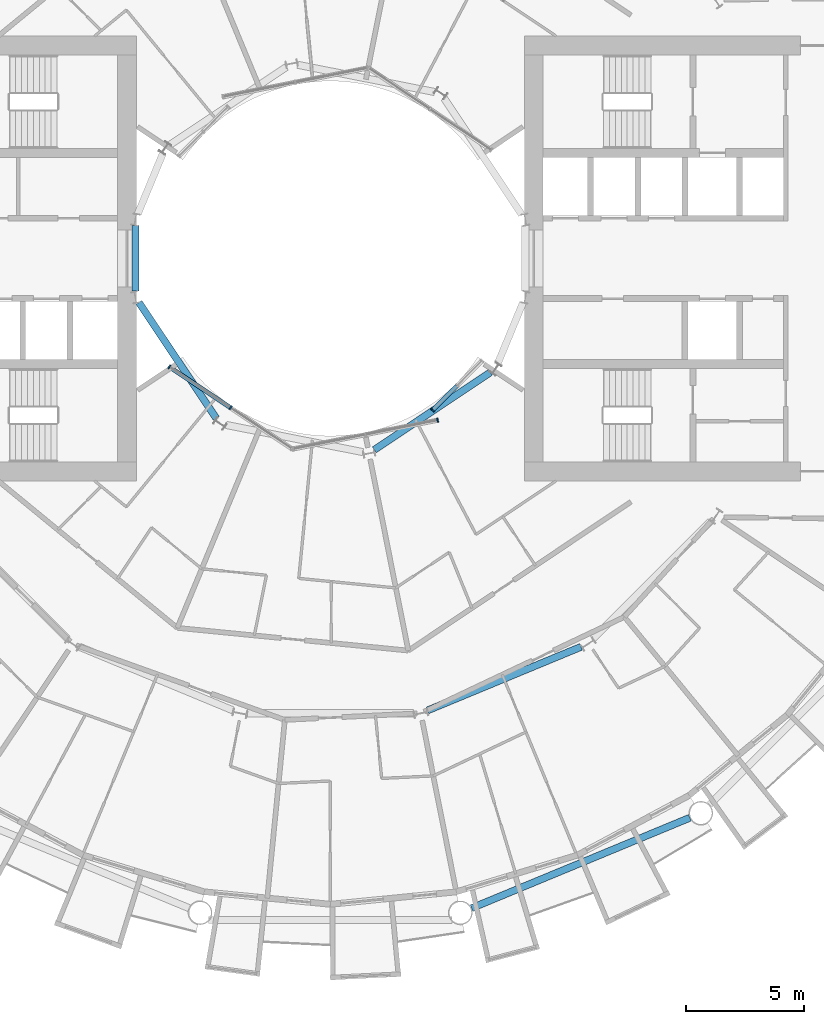
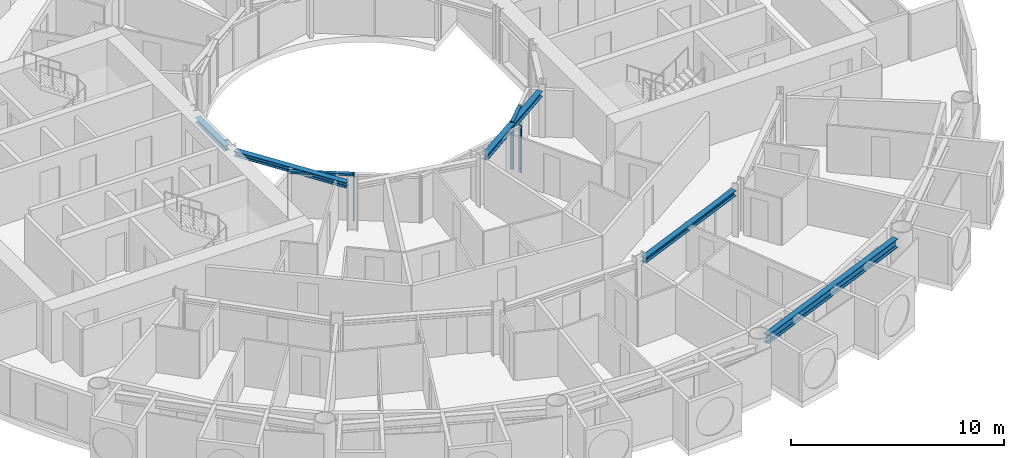
# One storey, part 5 of 26: 6 members, 5 beams, 3 elements without a shape of their own.
"""IFC4 building model written with IfcOpenShell, lengths in metres."""

from ifc_helpers import new_model, si_unit, direction, frame, origin, origin_2d, place, context, subcontext, project, spatial, rectangle, i_section, extrude, material, layer, layer_set, material_profile, profile_set, type_object, element, aggregate, save


model = new_model("IFC4")

# Units and contexts
model_context = context("Model", 3, precision=1e-05, world=origin(), true_north=direction((0.0, 1.0)))
body_context = subcontext(model_context, "Body", "Model", "MODEL_VIEW")
ifc_project = project(units=[si_unit("LENGTHUNIT", "METRE"), si_unit("AREAUNIT", "SQUARE_METRE"), si_unit("VOLUMEUNIT", "CUBIC_METRE"), si_unit("PLANEANGLEUNIT", "RADIAN"), si_unit("MASSUNIT", "GRAM", prefix="KILO")], contexts=[model_context])

# Site, building, storey
site_placement = place(None, origin())
site = spatial("IfcSite", under=ifc_project, at=site_placement, CompositionType="ELEMENT")
building_placement = place(site_placement, origin())
building = spatial("IfcBuilding", under=site, at=building_placement, Name="Maasbend Ring Residences", CompositionType="ELEMENT")
storey_placement = place(building_placement, frame((0.0, 0.0, 22.800048828125)))
storey = spatial("IfcBuildingStorey", under=building, at=storey_placement, Name="L05", CompositionType="ELEMENT", Elevation=22.800048828125)

# Curtain wall, members
ifc_material_1 = material(Name="Aluminium and clear glass", Category="aluminium")
ifc_layer = layer(ifc_material_1, 0.179931640625)
ifc_layer_set = layer_set([ifc_layer], Name="CW-W")
curtain_wall_type = type_object("IfcCurtainWallType", Name="CW-W", PredefinedType="NOTDEFINED", material=ifc_layer_set)
curtain_wall_1_placement = place(storey_placement, origin())
curtain_wall_1 = element("IfcCurtainWall", 1, at=curtain_wall_1_placement, inside=storey, type_object=curtain_wall_type, Name="Well curtain wall S1", PredefinedType="NOTDEFINED")
ifc_material_2 = material(Name="Aluminium 6063-T6", Category="aluminium")
ifc_material_profile_1 = material_profile(ifc_material_2, rectangle(XDim=0.179931640625, YDim=0.06005859375, at=origin_2d()), Name="AL 180x60")
ifc_profile_set_1 = profile_set([ifc_material_profile_1], Name="Aluminium 6063-T6")
member_type_1 = type_object("IfcMemberType", Name="CWM-W", PredefinedType="MULLION", material=ifc_profile_set_1)
member_1_placement = place(storey_placement, frame((-6.805908203125, -4.580810546875, 0.0), z_axis=(0.0, 0.0, 1.0), x_axis=(0.55557023302, 0.831469612303, 0.0)))
member_1 = element("IfcMember", 2, at=member_1_placement, type_object=member_type_1, Name="Mullion well face", PredefinedType="MULLION", context=body_context, shape_type="SweptSolid", body=[
    extrude(rectangle(XDim=0.179931640625, YDim=0.06005859375, at=origin_2d()), origin(), (0.0, 0.0, 1.0), 2.699951171875),
])
member_2_placement = place(storey_placement, frame((-4.216796875, -6.310791015625, 0.0), z_axis=(0.0, 0.0, 1.0), x_axis=(0.55557023302, 0.831469612303, 0.0)))
member_2 = element("IfcMember", 3, at=member_2_placement, type_object=member_type_1, Name="Mullion well face", PredefinedType="MULLION", context=body_context, shape_type="SweptSolid", body=[
    extrude(rectangle(XDim=0.179931640625, YDim=0.06005859375, at=origin_2d()), origin(), (0.0, 0.0, 1.0), 2.699951171875),
])

# Curtain wall, member
curtain_wall_2_placement = place(storey_placement, origin())
curtain_wall_2 = element("IfcCurtainWall", 4, at=curtain_wall_2_placement, inside=storey, type_object=curtain_wall_type, Name="Well curtain wall S2", PredefinedType="NOTDEFINED")
member_3_placement = place(storey_placement, frame((4.53466796875, -6.836669921875, 0.0), z_axis=(0.0, 0.0, 1.0), x_axis=(-0.195090322016, 0.980785280403, 0.0)))
member_3 = element("IfcMember", 5, at=member_3_placement, type_object=member_type_1, Name="Mullion well face", PredefinedType="MULLION", context=body_context, shape_type="SweptSolid", body=[
    extrude(rectangle(XDim=0.179931640625, YDim=0.06005859375, at=origin_2d()), origin(), (0.0, 0.0, 1.0), 2.699951171875),
])
aggregate(curtain_wall_2, [member_3])

curtain_wall_3_placement = place(storey_placement, origin())
curtain_wall_3 = element("IfcCurtainWall", 6, at=curtain_wall_3_placement, inside=storey, type_object=curtain_wall_type, Name="Well curtain wall S3", PredefinedType="NOTDEFINED")
member_4_placement = place(storey_placement, frame((4.320556640625, -6.413330078125, 0.0), z_axis=(0.0, 0.0, 1.0), x_axis=(-0.707106781187, 0.707106781187, 0.0)))
member_4 = element("IfcMember", 7, at=member_4_placement, type_object=member_type_1, Name="Mullion well face", PredefinedType="MULLION", context=body_context, shape_type="SweptSolid", body=[
    extrude(rectangle(XDim=0.179931640625, YDim=0.06005859375, at=origin_2d()), origin(), (0.0, 0.0, 1.0), 2.699951171875),
])

# Member
ifc_material_3 = material(Name="Aluminium 6063-T6", Category="aluminium")
ifc_material_profile_2 = material_profile(ifc_material_3, rectangle(XDim=0.179931640625, YDim=0.1201171875, at=origin_2d()), Name="AL 180x120")
ifc_profile_set_2 = profile_set([ifc_material_profile_2], Name="Aluminium 6063-T6")
member_type_2 = type_object("IfcMemberType", Name="CWT-W", PredefinedType="USERDEFINED", material=ifc_profile_set_2)
member_5_placement = place(storey_placement, frame((-6.781005859375, -4.59765625, 2.639892578125), z_axis=(0.831496422459, -0.555530106689, 0.0), x_axis=(0.555530106689, 0.831496422459, 0.0)))
member_5 = element("IfcMember", 8, at=member_5_placement, type_object=member_type_2, Name="Transom well face", ObjectType="TRANSOM", PredefinedType="USERDEFINED", context=body_context, shape_type="SweptSolid", body=[
    extrude(rectangle(XDim=0.179931640625, YDim=0.1201171875, at=origin_2d()), origin(), (0.0, 0.0, 1.0), 3.053955078125),
])

aggregate(curtain_wall_1, [member_1, member_2, member_5])

member_6_placement = place(storey_placement, frame((4.341796875, -6.39208984375, 2.639892578125), z_axis=(0.707106781187, 0.707106781187, 0.0), x_axis=(-0.707106781187, 0.707106781187, 0.0)))
member_6 = element("IfcMember", 9, at=member_6_placement, type_object=member_type_2, Name="Transom well face", ObjectType="TRANSOM", PredefinedType="USERDEFINED", context=body_context, shape_type="SweptSolid", body=[
    extrude(rectangle(XDim=0.179931640625, YDim=0.1201171875, at=origin_2d()), origin(), (0.0, 0.0, 1.0), 1.419677734375),
])

aggregate(curtain_wall_3, [member_4, member_6])

# Beams
ifc_material_4 = material(Name="Steel S355J2", Category="steel")
ifc_material_profile_3 = material_profile(ifc_material_4, i_section(OverallWidth=0.300048828125, OverallDepth=0.300048828125, WebThickness=0.010986328125, FlangeThickness=0.01904296875, FilletRadius=0.027099609375, at=origin_2d()), Name="HEB 300")
ifc_profile_set_3 = profile_set([ifc_material_profile_3], Name="Steel S355J2")
beam_type_1 = type_object("IfcBeamType", Name="Corridor ring beam HEB 300", PredefinedType="BEAM", material=ifc_profile_set_3)
beam_1_placement = place(storey_placement, frame((4.11572265625, -19.102294921875, 2.550048828125), z_axis=(0.923886196809, 0.38266734293, 0.0), x_axis=(-0.38266734293, 0.923886196809, 0.0)))
element("IfcBeam", 10, at=beam_1_placement, inside=storey, type_object=beam_type_1, Name="Corridor ring beam", PredefinedType="BEAM", context=body_context, shape_type="SweptSolid", body=[
    extrude(i_section(OverallWidth=0.300048828125, OverallDepth=0.300048828125, WebThickness=0.010986328125, FlangeThickness=0.01904296875, FilletRadius=0.027099609375, at=origin_2d()), origin(), (0.0, 0.0, 1.0), 7.015380859375),
])
ifc_material_5 = material(Name="Steel S355J2", Category="steel")
ifc_material_profile_4 = material_profile(ifc_material_5, i_section(OverallWidth=0.300048828125, OverallDepth=0.5, WebThickness=0.014404296875, FlangeThickness=0.028076171875, FilletRadius=0.027099609375, at=origin_2d()), Name="HEB 500")
ifc_profile_set_4 = profile_set([ifc_material_profile_4], Name="Steel S355J2")
beam_type_2 = type_object("IfcBeamType", Name="Spandrel ring beam HEB 500", PredefinedType="SPANDREL", material=ifc_profile_set_4)
beam_2_placement = place(storey_placement, frame((5.970703125, -27.463623046875, 2.449951171875), z_axis=(0.923886337442, 0.382667003395, 0.0), x_axis=(-0.382667003395, 0.923886337442, 0.0)))
element("IfcBeam", 11, at=beam_2_placement, inside=storey, type_object=beam_type_2, Name="Spandrel ring beam", PredefinedType="SPANDREL", context=body_context, shape_type="SweptSolid", body=[
    extrude(i_section(OverallWidth=0.300048828125, OverallDepth=0.5, WebThickness=0.014404296875, FlangeThickness=0.028076171875, FilletRadius=0.027099609375, at=origin_2d()), origin(), (0.0, 0.0, 1.0), 9.9873046875),
])
ifc_material_6 = material(Name="Steel S355J2", Category="steel")
ifc_material_profile_5 = material_profile(ifc_material_6, i_section(OverallWidth=0.300048828125, OverallDepth=0.300048828125, WebThickness=0.010986328125, FlangeThickness=0.01904296875, FilletRadius=0.027099609375, at=origin_2d()), Name="HEB 300")
ifc_profile_set_5 = profile_set([ifc_material_profile_5], Name="Steel S355J2")
beam_type_3 = type_object("IfcBeamType", Name="Well edge beam HEB 300", PredefinedType="BEAM", material=ifc_profile_set_5)
beam_3_placement = place(storey_placement, frame((-8.238525390625, 1.3837890625, 2.550048828125), z_axis=(0.0, -1.0, 0.0), x_axis=(1.0, 0.0, 0.0)))
element("IfcBeam", 12, at=beam_3_placement, inside=storey, type_object=beam_type_3, Name="Well edge beam", PredefinedType="BEAM", context=body_context, shape_type="SweptSolid", body=[
    extrude(i_section(OverallWidth=0.300048828125, OverallDepth=0.300048828125, WebThickness=0.010986328125, FlangeThickness=0.01904296875, FilletRadius=0.027099609375, at=origin_2d()), origin(), (0.0, 0.0, 1.0), 2.767578125),
])
for number, where, z_axis, x_axis, name in (
    (13, (-8.08837890625, -1.86376953125, 2.550048828125), (0.555589782054, -0.831456549723, 0.0), (0.831456549723, 0.555589782054, 0.0), "Well edge beam"),
    (14, (1.86376953125, -8.08837890625, 2.550048828125), (0.831456549723, 0.555589782054, 0.0), (-0.555589782054, 0.831456549723, 0.0), "Well edge beam"),
):
    element("IfcBeam", number, at=place(storey_placement, frame(where, z_axis=z_axis, x_axis=x_axis)), inside=storey, type_object=beam_type_3, Name=name, PredefinedType="BEAM", context=body_context, shape_type="SweptSolid", body=[
        extrude(i_section(OverallWidth=0.300048828125, OverallDepth=0.300048828125, WebThickness=0.010986328125, FlangeThickness=0.01904296875, FilletRadius=0.027099609375, at=origin_2d()), origin(), (0.0, 0.0, 1.0), 5.887939453125),
    ])

save(model, "model.ifc")
